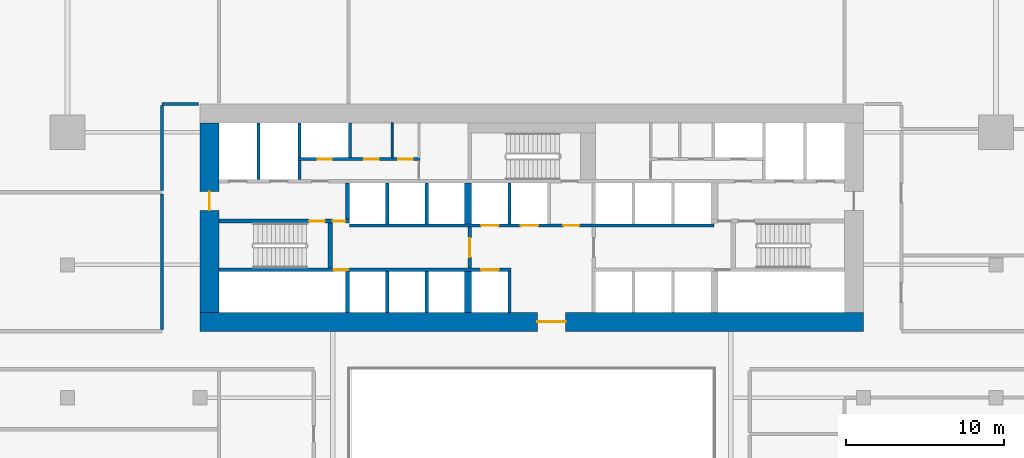
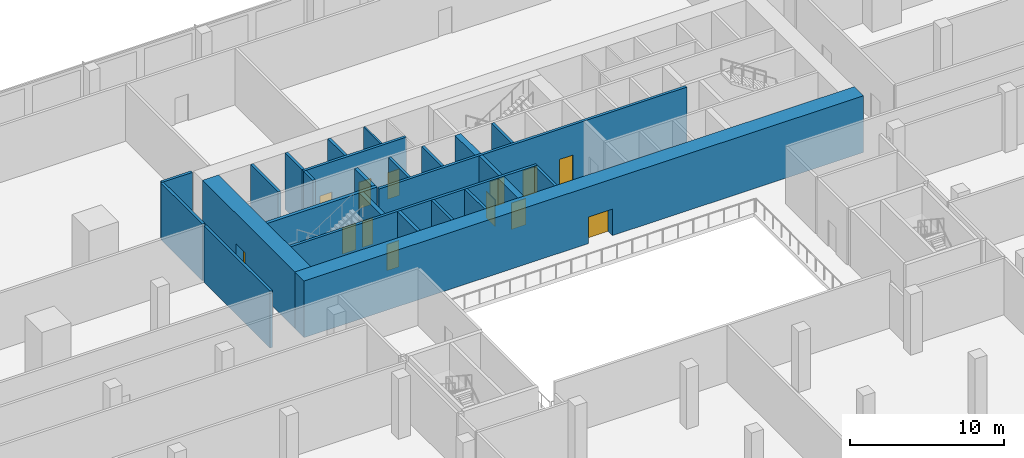
# One storey, part 28 of 39: 26 walls, 13 doors, 13 openings.
"""IFC4 building model written with IfcOpenShell, lengths in metres."""

from ifc_helpers import new_model, si_unit, direction, frame, frame_2d, origin, place, context, subcontext, project, spatial, rectangle, extrude, material, layer, layer_set, type_object, element, fill, save


model = new_model("IFC4")

# Units and contexts
model_context = context("Model", 3, precision=1e-05, world=origin(), true_north=direction((0.0, 1.0)))
body_context = subcontext(model_context, "Body", "Model", "MODEL_VIEW")
ifc_project = project(units=[si_unit("LENGTHUNIT", "METRE"), si_unit("AREAUNIT", "SQUARE_METRE"), si_unit("VOLUMEUNIT", "CUBIC_METRE"), si_unit("PLANEANGLEUNIT", "RADIAN"), si_unit("MASSUNIT", "GRAM", prefix="KILO")], contexts=[model_context])

# Site, building, storey
site_placement = place(None, origin())
site = spatial("IfcSite", under=ifc_project, at=site_placement, CompositionType="ELEMENT")
building_placement = place(site_placement, origin())
building = spatial("IfcBuilding", under=site, at=building_placement, Name="Saffron Gate Tower", CompositionType="ELEMENT")
storey_placement = place(building_placement, frame((0.0, 0.0, 14.39990234375)))
storey = spatial("IfcBuildingStorey", under=building, at=storey_placement, Name="L02", CompositionType="ELEMENT", Elevation=14.39990234375)

# Wall, opening, door
ifc_material_1 = material(Name="Concrete C70", Category="concrete")
ifc_layer_1 = layer(ifc_material_1, 1.199951171875)
ifc_layer_set_1 = layer_set([ifc_layer_1], Name="CW1 RC core wall 1200 C70")
wall_type_1 = type_object("IfcWallType", Name="CW1 RC core wall 1200 C70", PredefinedType="SOLIDWALL", material=ifc_layer_set_1)
wall_1_placement = place(storey_placement, frame((66.60009765625, 61.800048828125, 0.0), z_axis=(0.0, 0.0, 1.0), x_axis=(1.0, 0.0, 0.0)))
wall_1 = element("IfcWall", 1, at=wall_1_placement, inside=storey, type_object=wall_type_1, Name="Wall CW1-L02-1", PredefinedType="SOLIDWALL", context=body_context, shape_type="SweptSolid", body=[
    extrude(rectangle(XDim=42.0, YDim=1.199951171875, at=frame_2d((21.0, 0.0))), origin(), (0.0, 0.0, 1.0), 4.5),
])
opening_1_placement = place(wall_1_placement, frame((21.35009765625, 0.0, 0.0)))
opening_1 = element("IfcOpeningElement", 2, at=opening_1_placement, cuts=wall_1, Name="Opening CR-09", PredefinedType="OPENING", context=body_context, shape_type="SweptSolid", body=[
    extrude(rectangle(XDim=1.800048828125, YDim=2.10009765625, at=frame_2d((0.89990234375, 1.050048828125))), frame((0.0, 0.60986328125, 0.0), z_axis=(0.0, -1.0, 0.0), x_axis=(1.0, 0.0, 0.0)), (0.0, 0.0, 1.0), 1.219970703125),
])
ifc_material_2 = material(Name="Steel fire door set", Category="steel")
door_type_1 = type_object("IfcDoorType", Name="CD1 Core entrance door 1800x2100 EI 120", OperationType="NOTDEFINED", PredefinedType="DOOR", material=ifc_material_2)
door_1_placement = place(opening_1_placement, origin())
door_1 = element("IfcDoor", 3, at=door_1_placement, inside=storey, type_object=door_type_1, Name="DOOR CR-09", OperationType="DOUBLE_DOOR_SINGLE_SWING", OverallHeight=2.10009765625, OverallWidth=1.800048828125, PredefinedType="DOOR", context=body_context, shape_type="SweptSolid", body=[
    extrude(rectangle(XDim=1.800048828125, YDim=2.10009765625, at=frame_2d((0.89990234375, 1.050048828125))), frame((0.0, 0.02490234375, 0.0), z_axis=(0.0, -1.0, 0.0), x_axis=(1.0, 0.0, 0.0)), (0.0, 0.0, 1.0), 0.050048828125),
])
fill(opening_1, door_1)

wall_2_placement = place(storey_placement, frame((67.199951171875, 62.39990234375, 0.0), z_axis=(0.0, 0.0, 1.0), x_axis=(0.0, 1.0, 0.0)))
wall_2 = element("IfcWall", 4, at=wall_2_placement, inside=storey, type_object=wall_type_1, Name="Wall CW1-L02-3", PredefinedType="SOLIDWALL", context=body_context, shape_type="SweptSolid", body=[
    extrude(rectangle(XDim=12.0, YDim=1.199951171875, at=frame_2d((6.0, 0.0))), origin(), (0.0, 0.0, 1.0), 4.5),
])
opening_2_placement = place(wall_2_placement, frame((6.449951171875, 0.0, 0.0)))
opening_2 = element("IfcOpeningElement", 5, at=opening_2_placement, cuts=wall_2, Name="Opening CR-10", PredefinedType="OPENING", context=body_context, shape_type="SweptSolid", body=[
    extrude(rectangle(XDim=1.199951171875, YDim=2.10009765625, at=frame_2d((0.60009765625, 1.050048828125))), frame((0.0, 0.60986328125, 0.0), z_axis=(0.0, -1.0, 0.0), x_axis=(1.0, 0.0, 0.0)), (0.0, 0.0, 1.0), 1.219970703125),
])
door_type_2 = type_object("IfcDoorType", Name="CD7 Core entrance door 1200x2100 EI 120", OperationType="NOTDEFINED", PredefinedType="DOOR", material=ifc_material_2)
door_2_placement = place(opening_2_placement, origin())
door_2 = element("IfcDoor", 6, at=door_2_placement, inside=storey, type_object=door_type_2, Name="DOOR CR-10", OperationType="SINGLE_SWING_LEFT", OverallHeight=2.10009765625, OverallWidth=1.199951171875, PredefinedType="DOOR", context=body_context, shape_type="SweptSolid", body=[
    extrude(rectangle(XDim=1.199951171875, YDim=2.10009765625, at=frame_2d((0.60009765625, 1.050048828125))), frame((0.0, 0.02490234375, 0.0), z_axis=(0.0, -1.0, 0.0), x_axis=(1.0, 0.0, 0.0)), (0.0, 0.0, 1.0), 0.050048828125),
])
fill(opening_2, door_2)

# Wall
ifc_layer_2 = layer(ifc_material_1, 0.25)
ifc_layer_set_2 = layer_set([ifc_layer_2], Name="CW2 RC core wall 250 C70")
wall_type_2 = type_object("IfcWallType", Name="CW2 RC core wall 250 C70", PredefinedType="SOLIDWALL", material=ifc_layer_set_2)
wall_3_placement = place(storey_placement, frame((75.925048828125, 62.39990234375, 0.0), z_axis=(0.0, 0.0, 1.0), x_axis=(0.0, 1.0, 0.0)))
element("IfcWall", 7, at=wall_3_placement, inside=storey, type_object=wall_type_2, Name="Wall CW2-L02-5", PredefinedType="SOLIDWALL", context=body_context, shape_type="SweptSolid", body=[
    extrude(rectangle(XDim=2.60009765625, YDim=0.25, at=frame_2d((1.300048828125, 0.0))), origin(), (0.0, 0.0, 1.0), 4.5),
])

# Wall, opening, door
wall_4_placement = place(storey_placement, frame((83.675048828125, 65.199951171875, 0.0), z_axis=(0.0, 0.0, 1.0), x_axis=(0.0, 1.0, 0.0)))
wall_4 = element("IfcWall", 8, at=wall_4_placement, inside=storey, type_object=wall_type_2, Name="Wall CW2-L02-17", PredefinedType="SOLIDWALL", context=body_context, shape_type="SweptSolid", body=[
    extrude(rectangle(XDim=2.60009765625, YDim=0.25, at=frame_2d((1.300048828125, 0.0))), origin(), (0.0, 0.0, 1.0), 4.5),
])
opening_3_placement = place(wall_4_placement, frame((0.699951171875, 0.0, 0.0)))
opening_3 = element("IfcOpeningElement", 9, at=opening_3_placement, cuts=wall_4, Name="Opening CR-07", PredefinedType="OPENING", context=body_context, shape_type="SweptSolid", body=[
    extrude(rectangle(XDim=1.199951171875, YDim=2.10009765625, at=frame_2d((0.60009765625, 1.050048828125))), frame((0.0, 0.135009765625, 0.0), z_axis=(0.0, -1.0, 0.0), x_axis=(1.0, 0.0, 0.0)), (0.0, 0.0, 1.0), 0.27001953125),
])
door_type_3 = type_object("IfcDoorType", Name="CD3 Lobby door 1200x2100 EI 120", OperationType="NOTDEFINED", PredefinedType="DOOR", material=ifc_material_2)
door_3_placement = place(opening_3_placement, origin())
door_3 = element("IfcDoor", 10, at=door_3_placement, inside=storey, type_object=door_type_3, Name="DOOR CR-07", OperationType="SINGLE_SWING_RIGHT", OverallHeight=2.10009765625, OverallWidth=1.199951171875, PredefinedType="DOOR", context=body_context, shape_type="SweptSolid", body=[
    extrude(rectangle(XDim=1.199951171875, YDim=2.10009765625, at=frame_2d((0.60009765625, 1.050048828125))), frame((0.0, 0.02490234375, 0.0), z_axis=(0.0, -1.0, 0.0), x_axis=(1.0, 0.0, 0.0)), (0.0, 0.0, 1.0), 0.050048828125),
])
fill(opening_3, door_3)

# Wall, openings, doors
wall_5_placement = place(storey_placement, frame((67.800048828125, 68.175048828125, 0.0), z_axis=(0.0, 0.0, 1.0), x_axis=(1.0, 0.0, 0.0)))
wall_5 = element("IfcWall", 11, at=wall_5_placement, inside=storey, type_object=wall_type_2, Name="Wall CW2-L02-30", PredefinedType="SOLIDWALL", context=body_context, shape_type="SweptSolid", body=[
    extrude(rectangle(XDim=8.25, YDim=0.25, at=frame_2d((4.125, 0.0))), origin(), (0.0, 0.0, 1.0), 4.5),
])
opening_4_placement = place(wall_5_placement, frame((5.699951171875, 0.0, 0.0)))
opening_4 = element("IfcOpeningElement", 12, at=opening_4_placement, cuts=wall_5, Name="Opening CR-15", PredefinedType="OPENING", context=body_context, shape_type="SweptSolid", body=[
    extrude(rectangle(XDim=1.0, YDim=2.10009765625, at=frame_2d((0.5, 1.050048828125))), frame((0.0, 0.135009765625, 0.0), z_axis=(0.0, -1.0, 0.0), x_axis=(1.0, 0.0, 0.0)), (0.0, 0.0, 1.0), 0.27001953125),
])
opening_5_placement = place(wall_5_placement, frame((7.199951171875, 0.0, 0.0)))
opening_5 = element("IfcOpeningElement", 13, at=opening_5_placement, cuts=wall_5, Name="Opening CR-06", PredefinedType="OPENING", context=body_context, shape_type="SweptSolid", body=[
    extrude(rectangle(XDim=0.800048828125, YDim=2.10009765625, at=frame_2d((0.39990234375, 1.050048828125))), frame((0.0, 0.135009765625, 0.0), z_axis=(0.0, -1.0, 0.0), x_axis=(1.0, 0.0, 0.0)), (0.0, 0.0, 1.0), 0.27001953125),
])
door_type_4 = type_object("IfcDoorType", Name="CD5 Stair door 1000x2100 EI 120", OperationType="NOTDEFINED", PredefinedType="DOOR", material=ifc_material_2)
door_4_placement = place(opening_4_placement, origin())
door_4 = element("IfcDoor", 14, at=door_4_placement, inside=storey, type_object=door_type_4, Name="DOOR CR-15", OperationType="SINGLE_SWING_RIGHT", OverallHeight=2.10009765625, OverallWidth=1.0, PredefinedType="DOOR", context=body_context, shape_type="SweptSolid", body=[
    extrude(rectangle(XDim=1.0, YDim=2.10009765625, at=frame_2d((0.5, 1.050048828125))), frame((0.0, 0.02490234375, 0.0), z_axis=(0.0, -1.0, 0.0), x_axis=(1.0, 0.0, 0.0)), (0.0, 0.0, 1.0), 0.050048828125),
])
fill(opening_4, door_4)
door_type_5 = type_object("IfcDoorType", Name="CD6 Lobby door 800x2100 EI 120", OperationType="NOTDEFINED", PredefinedType="DOOR", material=ifc_material_2)
door_5_placement = place(opening_5_placement, origin())
door_5 = element("IfcDoor", 15, at=door_5_placement, inside=storey, type_object=door_type_5, Name="DOOR CR-06", OperationType="SINGLE_SWING_LEFT", OverallHeight=2.10009765625, OverallWidth=0.800048828125, PredefinedType="DOOR", context=body_context, shape_type="SweptSolid", body=[
    extrude(rectangle(XDim=0.800048828125, YDim=2.10009765625, at=frame_2d((0.39990234375, 1.050048828125))), frame((0.0, 0.02490234375, 0.0), z_axis=(0.0, -1.0, 0.0), x_axis=(1.0, 0.0, 0.0)), (0.0, 0.0, 1.0), 0.050048828125),
])
fill(opening_5, door_5)

# Walls
wall_6_placement = place(storey_placement, frame((75.925048828125, 68.300048828125, 0.0), z_axis=(0.0, 0.0, 1.0), x_axis=(0.0, 1.0, 0.0)))
element("IfcWall", 16, at=wall_6_placement, inside=storey, type_object=wall_type_2, Name="Wall CW2-L02-32", PredefinedType="SOLIDWALL", context=body_context, shape_type="SweptSolid", body=[
    extrude(rectangle(XDim=2.300048828125, YDim=0.25, at=frame_2d((1.14990234375, 0.0))), origin(), (0.0, 0.0, 1.0), 4.5),
])
ifc_layer_3 = layer(ifc_material_1, 0.199951171875)
ifc_layer_set_3 = layer_set([ifc_layer_3], Name="CW3 RC core wall 200 C70")
wall_type_3 = type_object("IfcWallType", Name="CW3 RC core wall 200 C70", PredefinedType="SOLIDWALL", material=ifc_layer_set_3)
for number, where, z_axis, x_axis, name in (
    (17, (78.449951171875, 62.39990234375, 0.0), (0.0, 0.0, 1.0), (0.0, 1.0, 0.0), "Wall CW3-L02-6"),
    (18, (80.949951171875, 62.39990234375, 0.0), (0.0, 0.0, 1.0), (0.0, 1.0, 0.0), "Wall CW3-L02-7"),
    (19, (86.199951171875, 62.39990234375, 0.0), (0.0, 0.0, 1.0), (0.0, 1.0, 0.0), "Wall CW3-L02-9"),
):
    element("IfcWall", number, at=place(storey_placement, frame(where, z_axis=z_axis, x_axis=x_axis)), inside=storey, type_object=wall_type_3, Name=name, PredefinedType="SOLIDWALL", context=body_context, shape_type="SweptSolid", body=[
        extrude(rectangle(XDim=2.60009765625, YDim=0.199951171875, at=frame_2d((1.300048828125, 0.0))), origin(), (0.0, 0.0, 1.0), 4.5),
    ])

# Wall, openings, doors
wall_7_placement = place(storey_placement, frame((67.800048828125, 65.10009765625, 0.0), z_axis=(0.0, 0.0, 1.0), x_axis=(1.0, 0.0, 0.0)))
wall_7 = element("IfcWall", 20, at=wall_7_placement, inside=storey, type_object=wall_type_3, Name="Wall CW3-L02-14", PredefinedType="SOLIDWALL", context=body_context, shape_type="SweptSolid", body=[
    extrude(rectangle(XDim=18.5, YDim=0.199951171875, at=frame_2d((9.25, 0.0))), origin(), (0.0, 0.0, 1.0), 4.5),
])
opening_6_placement = place(wall_7_placement, frame((7.27001953125, 0.0, 0.0)))
opening_6 = element("IfcOpeningElement", 21, at=opening_6_placement, cuts=wall_7, Name="Opening CR-49", PredefinedType="OPENING", context=body_context, shape_type="SweptSolid", body=[
    extrude(rectangle(XDim=0.89990234375, YDim=2.10009765625, at=frame_2d((0.449951171875, 1.050048828125))), frame((0.0, 0.10986328125, 0.0), z_axis=(0.0, -1.0, 0.0), x_axis=(1.0, 0.0, 0.0)), (0.0, 0.0, 1.0), 0.219970703125),
])
opening_7_placement = place(wall_7_placement, frame((16.60009765625, 0.0, 0.0)))
opening_7 = element("IfcOpeningElement", 22, at=opening_7_placement, cuts=wall_7, Name="Opening LD-SL3", PredefinedType="OPENING", context=body_context, shape_type="SweptSolid", body=[
    extrude(rectangle(XDim=1.10009765625, YDim=2.10009765625, at=frame_2d((0.550048828125, 1.050048828125))), frame((0.0, 0.10986328125, 0.0), z_axis=(0.0, -1.0, 0.0), x_axis=(1.0, 0.0, 0.0)), (0.0, 0.0, 1.0), 0.219970703125),
])
door_type_6 = type_object("IfcDoorType", Name="CD2 Riser door 900x2100 EI 60", OperationType="NOTDEFINED", PredefinedType="DOOR", material=ifc_material_2)
door_6_placement = place(opening_6_placement, origin())
door_6 = element("IfcDoor", 23, at=door_6_placement, inside=storey, type_object=door_type_6, Name="DOOR CR-49", OperationType="SINGLE_SWING_LEFT", OverallHeight=2.10009765625, OverallWidth=0.89990234375, PredefinedType="DOOR", context=body_context, shape_type="SweptSolid", body=[
    extrude(rectangle(XDim=0.89990234375, YDim=2.10009765625, at=frame_2d((0.449951171875, 1.050048828125))), frame((0.0, 0.02490234375, 0.0), z_axis=(0.0, -1.0, 0.0), x_axis=(1.0, 0.0, 0.0)), (0.0, 0.0, 1.0), 0.050048828125),
])
fill(opening_6, door_6)
ifc_material_3 = material(Name="Stainless steel landing door", Category="steel")
door_type_7 = type_object("IfcDoorType", Name="LD Lift landing door 1100x2100 EI 120", OperationType="SLIDING_TO_LEFT", PredefinedType="DOOR", material=ifc_material_3)
door_7_placement = place(opening_7_placement, origin())
door_7 = element("IfcDoor", 24, at=door_7_placement, inside=storey, type_object=door_type_7, Name="LANDING DOOR LD-SL3", OperationType="SLIDING_TO_LEFT", OverallHeight=2.10009765625, OverallWidth=1.10009765625, PredefinedType="DOOR", context=body_context, shape_type="SweptSolid", body=[
    extrude(rectangle(XDim=1.10009765625, YDim=2.10009765625, at=frame_2d((0.550048828125, 1.050048828125))), frame((0.0, 0.02490234375, 0.0), z_axis=(0.0, -1.0, 0.0), x_axis=(1.0, 0.0, 0.0)), (0.0, 0.0, 1.0), 0.050048828125),
])
fill(opening_7, door_7)

wall_8_placement = place(storey_placement, frame((76.050048828125, 67.89990234375, 0.0), z_axis=(0.0, 0.0, 1.0), x_axis=(1.0, 0.0, 0.0)))
wall_8 = element("IfcWall", 25, at=wall_8_placement, inside=storey, type_object=wall_type_3, Name="Wall CW3-L02-20", PredefinedType="SOLIDWALL", context=body_context, shape_type="SweptSolid", body=[
    extrude(rectangle(XDim=23.099853515625, YDim=0.199951171875, at=frame_2d((11.5498046875, 0.0))), origin(), (0.0, 0.0, 1.0), 4.5),
])
opening_8_placement = place(wall_8_placement, frame((8.35009765625, 0.0, 0.0)))
opening_8 = element("IfcOpeningElement", 26, at=opening_8_placement, cuts=wall_8, Name="Opening LD-SL1", PredefinedType="OPENING", context=body_context, shape_type="SweptSolid", body=[
    extrude(rectangle(XDim=1.10009765625, YDim=2.10009765625, at=frame_2d((0.550048828125, 1.050048828125))), frame((0.0, 0.10986328125, 0.0), z_axis=(0.0, -1.0, 0.0), x_axis=(1.0, 0.0, 0.0)), (0.0, 0.0, 1.0), 0.219970703125),
])
opening_9_placement = place(wall_8_placement, frame((10.85009765625, 0.0, 0.0)))
opening_9 = element("IfcOpeningElement", 27, at=opening_9_placement, cuts=wall_8, Name="Opening LD-SL2", PredefinedType="OPENING", context=body_context, shape_type="SweptSolid", body=[
    extrude(rectangle(XDim=1.10009765625, YDim=2.10009765625, at=frame_2d((0.550048828125, 1.050048828125))), frame((0.0, 0.10986328125, 0.0), z_axis=(0.0, -1.0, 0.0), x_axis=(1.0, 0.0, 0.0)), (0.0, 0.0, 1.0), 0.219970703125),
])
opening_10_placement = place(wall_8_placement, frame((13.550048828125, 0.0, 0.0)))
opening_10 = element("IfcOpeningElement", 28, at=opening_10_placement, cuts=wall_8, Name="Opening CR-02", PredefinedType="OPENING", context=body_context, shape_type="SweptSolid", body=[
    extrude(rectangle(XDim=1.0, YDim=2.10009765625, at=frame_2d((0.5, 1.050048828125))), frame((0.0, 0.10986328125, 0.0), z_axis=(0.0, -1.0, 0.0), x_axis=(1.0, 0.0, 0.0)), (0.0, 0.0, 1.0), 0.219970703125),
])
door_type_8 = type_object("IfcDoorType", Name="CD4 Lobby door 1000x2100 EI 120", OperationType="NOTDEFINED", PredefinedType="DOOR", material=ifc_material_2)
door_8_placement = place(opening_10_placement, origin())
door_8 = element("IfcDoor", 29, at=door_8_placement, inside=storey, type_object=door_type_8, Name="DOOR CR-02", OperationType="SINGLE_SWING_LEFT", OverallHeight=2.10009765625, OverallWidth=1.0, PredefinedType="DOOR", context=body_context, shape_type="SweptSolid", body=[
    extrude(rectangle(XDim=1.0, YDim=2.10009765625, at=frame_2d((0.5, 1.050048828125))), frame((0.0, 0.02490234375, 0.0), z_axis=(0.0, -1.0, 0.0), x_axis=(1.0, 0.0, 0.0)), (0.0, 0.0, 1.0), 0.050048828125),
])
fill(opening_10, door_8)
door_9_placement = place(opening_8_placement, origin())
door_9 = element("IfcDoor", 30, at=door_9_placement, inside=storey, type_object=door_type_7, Name="LANDING DOOR LD-SL1", OperationType="SLIDING_TO_RIGHT", OverallHeight=2.10009765625, OverallWidth=1.10009765625, PredefinedType="DOOR", context=body_context, shape_type="SweptSolid", body=[
    extrude(rectangle(XDim=1.10009765625, YDim=2.10009765625, at=frame_2d((0.550048828125, 1.050048828125))), frame((0.0, 0.02490234375, 0.0), z_axis=(0.0, -1.0, 0.0), x_axis=(1.0, 0.0, 0.0)), (0.0, 0.0, 1.0), 0.050048828125),
])
fill(opening_8, door_9)
door_10_placement = place(opening_9_placement, origin())
door_10 = element("IfcDoor", 31, at=door_10_placement, inside=storey, type_object=door_type_7, Name="LANDING DOOR LD-SL2", OperationType="SLIDING_TO_RIGHT", OverallHeight=2.10009765625, OverallWidth=1.10009765625, PredefinedType="DOOR", context=body_context, shape_type="SweptSolid", body=[
    extrude(rectangle(XDim=1.10009765625, YDim=2.10009765625, at=frame_2d((0.550048828125, 1.050048828125))), frame((0.0, 0.02490234375, 0.0), z_axis=(0.0, -1.0, 0.0), x_axis=(1.0, 0.0, 0.0)), (0.0, 0.0, 1.0), 0.050048828125),
])
fill(opening_9, door_10)

# Walls
for number, where, z_axis, x_axis, name in (
    (32, (78.449951171875, 68.0, 0.0), (0.0, 0.0, 1.0), (0.0, 1.0, 0.0), "Wall CW3-L02-21"),
    (33, (80.949951171875, 68.0, 0.0), (0.0, 0.0, 1.0), (0.0, 1.0, 0.0), "Wall CW3-L02-22"),
    (34, (86.199951171875, 68.0, 0.0), (0.0, 0.0, 1.0), (0.0, 1.0, 0.0), "Wall CW3-L02-24"),
):
    element("IfcWall", number, at=place(storey_placement, frame(where, z_axis=z_axis, x_axis=x_axis)), inside=storey, type_object=wall_type_3, Name=name, PredefinedType="SOLIDWALL", context=body_context, shape_type="SweptSolid", body=[
        extrude(rectangle(XDim=2.60009765625, YDim=0.199951171875, at=frame_2d((1.300048828125, 0.0))), origin(), (0.0, 0.0, 1.0), 4.5),
    ])
wall_9_placement = place(storey_placement, frame((70.300048828125, 70.800048828125, 0.0), z_axis=(0.0, 0.0, 1.0), x_axis=(0.0, 1.0, 0.0)))
element("IfcWall", 35, at=wall_9_placement, inside=storey, type_object=wall_type_3, Name="Wall CW3-L02-35", PredefinedType="SOLIDWALL", context=body_context, shape_type="SweptSolid", body=[
    extrude(rectangle(XDim=3.599853515625, YDim=0.199951171875, at=frame_2d((1.7998046875, 0.0))), origin(), (0.0, 0.0, 1.0), 4.5),
])
wall_10_placement = place(storey_placement, frame((72.89990234375, 70.800048828125, 0.0), z_axis=(0.0, 0.0, 1.0), x_axis=(0.0, 1.0, 0.0)))
element("IfcWall", 36, at=wall_10_placement, inside=storey, type_object=wall_type_3, Name="Wall CW3-L02-36", PredefinedType="SOLIDWALL", context=body_context, shape_type="SweptSolid", body=[
    extrude(rectangle(XDim=1.199951171875, YDim=0.199951171875, at=frame_2d((0.60009765625, 0.0))), origin(), (0.0, 0.0, 1.0), 4.5),
])

# Wall, openings, doors
wall_11_placement = place(storey_placement, frame((72.800048828125, 72.10009765625, 0.0), z_axis=(0.0, 0.0, 1.0), x_axis=(1.0, 0.0, 0.0)))
wall_11 = element("IfcWall", 37, at=wall_11_placement, inside=storey, type_object=wall_type_3, Name="Wall CW3-L02-43", PredefinedType="SOLIDWALL", context=body_context, shape_type="SweptSolid", body=[
    extrude(rectangle(XDim=7.719970703125, YDim=0.199951171875, at=frame_2d((3.85986328125, 0.0))), origin(), (0.0, 0.0, 1.0), 4.5),
])
opening_11_placement = place(wall_11_placement, frame((1.25, 0.0, 0.0)))
opening_11 = element("IfcOpeningElement", 38, at=opening_11_placement, cuts=wall_11, Name="Opening CR-71", PredefinedType="OPENING", context=body_context, shape_type="SweptSolid", body=[
    extrude(rectangle(XDim=0.89990234375, YDim=2.10009765625, at=frame_2d((0.449951171875, 1.050048828125))), frame((0.0, 0.10986328125, 0.0), z_axis=(0.0, -1.0, 0.0), x_axis=(1.0, 0.0, 0.0)), (0.0, 0.0, 1.0), 0.219970703125),
])
opening_12_placement = place(wall_11_placement, frame((4.199951171875, 0.0, 0.0)))
opening_12 = element("IfcOpeningElement", 39, at=opening_12_placement, cuts=wall_11, Name="Opening CR-55", PredefinedType="OPENING", context=body_context, shape_type="SweptSolid", body=[
    extrude(rectangle(XDim=0.89990234375, YDim=2.10009765625, at=frame_2d((0.449951171875, 1.050048828125))), frame((0.0, 0.10986328125, 0.0), z_axis=(0.0, -1.0, 0.0), x_axis=(1.0, 0.0, 0.0)), (0.0, 0.0, 1.0), 0.219970703125),
])
opening_13_placement = place(wall_11_placement, frame((6.360107421875, 0.0, 0.0)))
opening_13 = element("IfcOpeningElement", 40, at=opening_13_placement, cuts=wall_11, Name="Opening CR-58", PredefinedType="OPENING", context=body_context, shape_type="SweptSolid", body=[
    extrude(rectangle(XDim=0.89990234375, YDim=2.10009765625, at=frame_2d((0.449951171875, 1.050048828125))), frame((0.0, 0.10986328125, 0.0), z_axis=(0.0, -1.0, 0.0), x_axis=(1.0, 0.0, 0.0)), (0.0, 0.0, 1.0), 0.219970703125),
])
door_11_placement = place(opening_11_placement, origin())
door_11 = element("IfcDoor", 41, at=door_11_placement, inside=storey, type_object=door_type_6, Name="DOOR CR-71", OperationType="SINGLE_SWING_LEFT", OverallHeight=2.10009765625, OverallWidth=0.89990234375, PredefinedType="DOOR", context=body_context, shape_type="SweptSolid", body=[
    extrude(rectangle(XDim=0.89990234375, YDim=2.10009765625, at=frame_2d((0.449951171875, 1.050048828125))), frame((0.0, 0.02490234375, 0.0), z_axis=(0.0, -1.0, 0.0), x_axis=(1.0, 0.0, 0.0)), (0.0, 0.0, 1.0), 0.050048828125),
])
fill(opening_11, door_11)
door_type_9 = type_object("IfcDoorType", Name="CD9 Room door 900x2100 EI 60", OperationType="NOTDEFINED", PredefinedType="DOOR", material=ifc_material_2)
door_12_placement = place(opening_12_placement, origin())
door_12 = element("IfcDoor", 42, at=door_12_placement, inside=storey, type_object=door_type_9, Name="DOOR CR-55", OperationType="SINGLE_SWING_LEFT", OverallHeight=2.10009765625, OverallWidth=0.89990234375, PredefinedType="DOOR", context=body_context, shape_type="SweptSolid", body=[
    extrude(rectangle(XDim=0.89990234375, YDim=2.10009765625, at=frame_2d((0.449951171875, 1.050048828125))), frame((0.0, 0.02490234375, 0.0), z_axis=(0.0, -1.0, 0.0), x_axis=(1.0, 0.0, 0.0)), (0.0, 0.0, 1.0), 0.050048828125),
])
fill(opening_12, door_12)
door_13_placement = place(opening_13_placement, origin())
door_13 = element("IfcDoor", 43, at=door_13_placement, inside=storey, type_object=door_type_9, Name="DOOR CR-58", OperationType="SINGLE_SWING_LEFT", OverallHeight=2.10009765625, OverallWidth=0.89990234375, PredefinedType="DOOR", context=body_context, shape_type="SweptSolid", body=[
    extrude(rectangle(XDim=0.89990234375, YDim=2.10009765625, at=frame_2d((0.449951171875, 1.050048828125))), frame((0.0, 0.02490234375, 0.0), z_axis=(0.0, -1.0, 0.0), x_axis=(1.0, 0.0, 0.0)), (0.0, 0.0, 1.0), 0.050048828125),
])
fill(opening_13, door_13)

# Walls
for number, where, z_axis, x_axis, name in (
    (44, (72.89990234375, 72.199951171875, 0.0), (0.0, 0.0, 1.0), (0.0, 1.0, 0.0), "Wall CW3-L02-45"),
    (45, (76.10009765625, 72.199951171875, 0.0), (0.0, 0.0, 1.0), (0.0, 1.0, 0.0), "Wall CW3-L02-46"),
):
    element("IfcWall", number, at=place(storey_placement, frame(where, z_axis=z_axis, x_axis=x_axis)), inside=storey, type_object=wall_type_3, Name=name, PredefinedType="SOLIDWALL", context=body_context, shape_type="SweptSolid", body=[
        extrude(rectangle(XDim=2.199951171875, YDim=0.199951171875, at=frame_2d((1.10009765625, 0.0))), origin(), (0.0, 0.0, 1.0), 4.5),
    ])
ifc_layer_4 = layer(ifc_material_1, 0.449951171875)
ifc_layer_set_4 = layer_set([ifc_layer_4], Name="CW4 RC core wall 450 C70")
wall_type_4 = type_object("IfcWallType", Name="CW4 RC core wall 450 C70", PredefinedType="SOLIDWALL", material=ifc_layer_set_4)
for number, where, z_axis, x_axis, name in (
    (46, (83.574951171875, 62.39990234375, 0.0), (0.0, 0.0, 1.0), (0.0, 1.0, 0.0), "Wall CW4-L02-8"),
    (47, (83.574951171875, 68.0, 0.0), (0.0, 0.0, 1.0), (0.0, 1.0, 0.0), "Wall CW4-L02-23"),
):
    element("IfcWall", number, at=place(storey_placement, frame(where, z_axis=z_axis, x_axis=x_axis)), inside=storey, type_object=wall_type_4, Name=name, PredefinedType="SOLIDWALL", context=body_context, shape_type="SweptSolid", body=[
        extrude(rectangle(XDim=2.60009765625, YDim=0.449951171875, at=frame_2d((1.300048828125, 0.0))), origin(), (0.0, 0.0, 1.0), 4.5),
    ])
ifc_layer_5 = layer(ifc_material_1, 0.300048828125)
ifc_layer_set_5 = layer_set([ifc_layer_5], Name="CW5 RC core wall 300 C70")
wall_type_5 = type_object("IfcWallType", Name="CW5 RC core wall 300 C70", PredefinedType="SOLIDWALL", material=ifc_layer_set_5)
wall_12_placement = place(storey_placement, frame((74.85009765625, 65.199951171875, 0.0), z_axis=(0.0, 0.0, 1.0), x_axis=(0.0, 1.0, 0.0)))
element("IfcWall", 48, at=wall_12_placement, inside=storey, type_object=wall_type_5, Name="Wall CW5-L02-16", PredefinedType="SOLIDWALL", context=body_context, shape_type="SweptSolid", body=[
    extrude(rectangle(XDim=2.85009765625, YDim=0.300048828125, at=frame_2d((1.425048828125, 0.0))), origin(), (0.0, 0.0, 1.0), 4.5),
])
ifc_material_4 = material(Name="Gypsum board partition on steel studs", Category="steel")
ifc_layer_6 = layer(ifc_material_4, 0.1201171875)
ifc_layer_set_6 = layer_set([ifc_layer_6], Name="CW8 Core partition 120")
wall_type_6 = type_object("IfcWallType", Name="CW8 Core partition 120", PredefinedType="PARTITIONING", material=ifc_layer_set_6)
wall_13_placement = place(storey_placement, frame((78.760009765625, 72.199951171875, 0.0), z_axis=(0.0, 0.0, 1.0), x_axis=(0.0, 1.0, 0.0)))
element("IfcWall", 49, at=wall_13_placement, inside=storey, type_object=wall_type_6, Name="Wall CW8-L02-47", PredefinedType="PARTITIONING", context=body_context, shape_type="SweptSolid", body=[
    extrude(rectangle(XDim=2.199951171875, YDim=0.1201171875, at=frame_2d((1.10009765625, 0.0))), origin(), (0.0, 0.0, 1.0), 4.5),
])
ifc_material_5 = material(Name="Clay brick masonry, rendered", Category="masonry")
ifc_layer_7 = layer(ifc_material_5, 0.199951171875)
ifc_layer_set_7 = layer_set([ifc_layer_7], Name="PW3 Corridor wall 200")
wall_type_7 = type_object("IfcWallType", Name="PW3 Corridor wall 200", PredefinedType="PARTITIONING", material=ifc_layer_set_7)
wall_14_placement = place(storey_placement, frame((64.199951171875, 69.89990234375, 0.0), z_axis=(0.0, 0.0, 1.0), x_axis=(0.0, -1.0, 0.0)))
element("IfcWall", 50, at=wall_14_placement, inside=storey, type_object=wall_type_7, Name="Wall P2-47", PredefinedType="PARTITIONING", context=body_context, shape_type="SweptSolid", body=[
    extrude(rectangle(XDim=8.599853515625, YDim=0.199951171875, at=frame_2d((4.2998046875, 0.0))), origin(), (0.0, 0.0, 1.0), 4.5),
])
ifc_layer_8 = layer(ifc_material_5, 0.199951171875)
ifc_layer_set_8 = layer_set([ifc_layer_8], Name="PW5 Room wall 200")
wall_type_8 = type_object("IfcWallType", Name="PW5 Room wall 200", PredefinedType="PARTITIONING", material=ifc_layer_set_8)
wall_15_placement = place(storey_placement, frame((64.199951171875, 75.60009765625, 0.0), z_axis=(0.0, 0.0, 1.0), x_axis=(1.0, 0.0, 0.0)))
element("IfcWall", 51, at=wall_15_placement, inside=storey, type_object=wall_type_8, Name="Wall P2-32", PredefinedType="PARTITIONING", context=body_context, shape_type="SweptSolid", body=[
    extrude(rectangle(XDim=2.300048828125, YDim=0.199951171875, at=frame_2d((1.14990234375, 0.0))), origin(), (0.0, 0.0, 1.0), 4.5),
])
wall_16_placement = place(storey_placement, frame((64.199951171875, 75.5, 0.0), z_axis=(0.0, 0.0, 1.0), x_axis=(0.0, -1.0, 0.0)))
element("IfcWall", 52, at=wall_16_placement, inside=storey, type_object=wall_type_8, Name="Wall P2-48", PredefinedType="PARTITIONING", context=body_context, shape_type="SweptSolid", body=[
    extrude(rectangle(XDim=5.39990234375, YDim=0.199951171875, at=frame_2d((2.699951171875, 0.0))), origin(), (0.0, 0.0, 1.0), 4.5),
])

save(model, "model.ifc")
